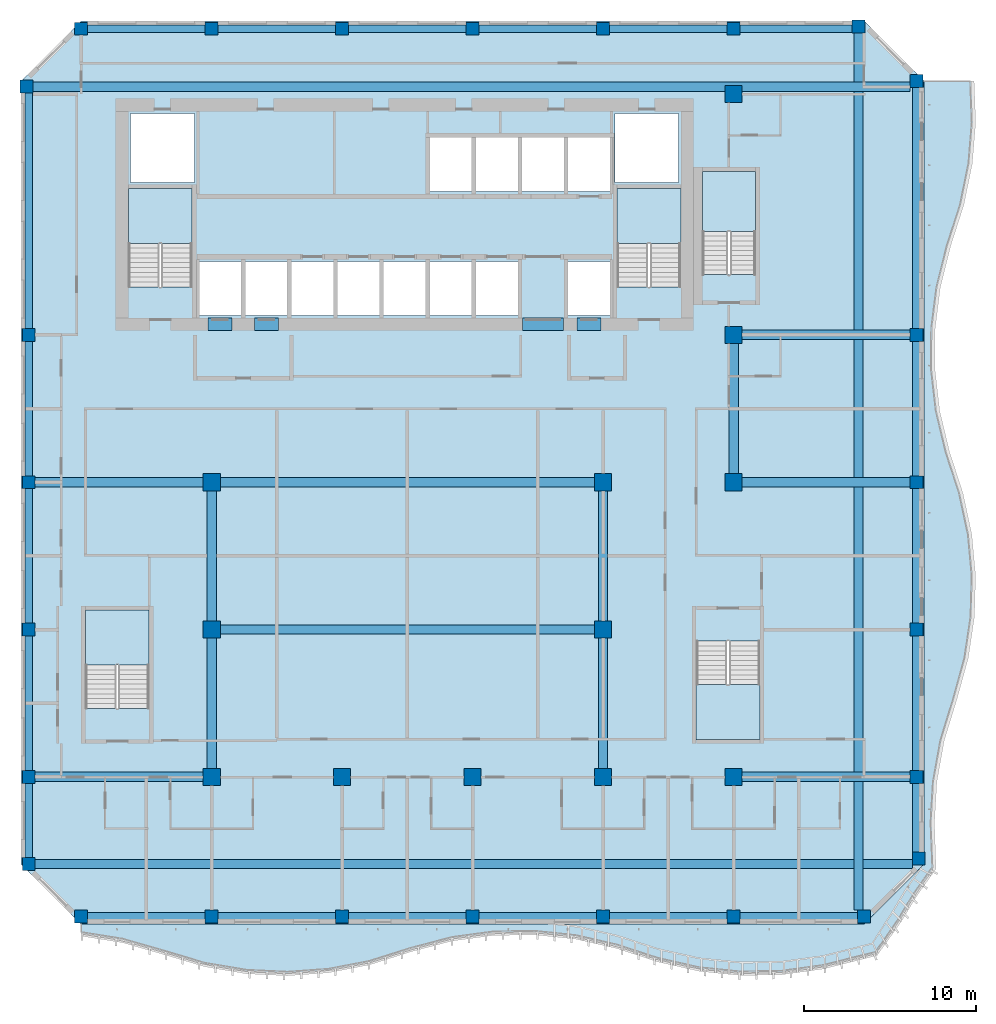
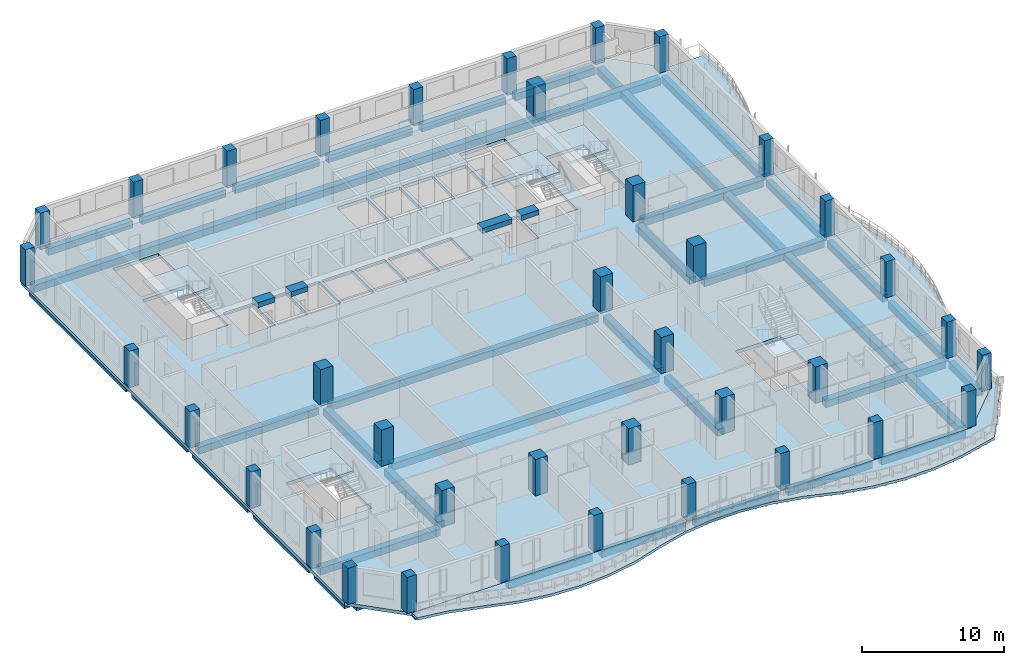
# One storey, part 1 of 21: 41 beams, 38 columns, 7 slabs, 5 elements without a shape of their own.
"""IFC4 building model written with IfcOpenShell, lengths in metres."""

import ifcopenshell
import ifcopenshell.guid

model = None  # the IFC model being written
_history = None  # IfcOwnerHistory: only IFC2X3 demands one
_inside = {}  # id of a spatial element -> (the spatial element, [elements in it])
_under = {}  # id of a project, library or spatial element -> (it, [spatial elements below it])
_declared = {}  # id of a project -> (the project, [libraries it declares])
_typed = {}  # id of a type object -> (the type object, [elements of that type])
_made_of = {}  # id of a material, layer set ... -> (it, [elements and type objects made of it])


def new_model(schema):
    """Start an empty IFC model of exactly this schema.

    Asked for "IFC4X3", IfcOpenShell would pick the latest addendum, in which some entities
    have other attributes; the version numbers below select the first issue.
    IFC2X3 requires an IfcOwnerHistory on every rooted entity: one is made here for all.
    """
    global model, _history
    if schema == "IFC4X3":
        model = ifcopenshell.file(schema_version=(4, 3, 0, 0))
    else:
        model = ifcopenshell.file(schema=schema)
    _inside.clear()
    _under.clear()
    _declared.clear()
    _typed.clear()
    _made_of.clear()
    _history = None
    if model.schema == "IFC2X3":
        org = make("IfcOrganization", Name="unknown")
        user = make(
            "IfcPersonAndOrganization",
            ThePerson=make("IfcPerson", FamilyName="unknown"),
            TheOrganization=org,
        )
        app = make(
            "IfcApplication",
            ApplicationDeveloper=org,
            Version="unknown",
            ApplicationFullName="unknown",
            ApplicationIdentifier="unknown",
        )
        _history = make(
            "IfcOwnerHistory",
            OwningUser=user,
            OwningApplication=app,
            ChangeAction="ADDED",
            CreationDate=0,
        )
    return model


def make(cls, **values):
    """One entity of the class cls with the attributes given. An attribute that is None is left unset."""
    return model.create_entity(
        cls, **{name: value for name, value in values.items() if value is not None}
    )


def rooted(cls, **values):
    """An entity with a GlobalId (a new one), such as an element, a storey or a relation."""
    return make(cls, GlobalId=ifcopenshell.guid.new(), OwnerHistory=_history, **values)


def si_unit(unit_type, name, prefix=None):
    """IfcSIUnit, for example si_unit("LENGTHUNIT", "METRE", prefix="MILLI")."""
    return make("IfcSIUnit", UnitType=unit_type, Prefix=prefix, Name=name)


def assignment(units):
    """IfcUnitAssignment: the units of a project."""
    return None if units is None else make("IfcUnitAssignment", Units=units)


def point(xyz):
    """IfcCartesianPoint."""
    return None if xyz is None else make("IfcCartesianPoint", Coordinates=xyz)


def direction(xyz):
    """IfcDirection."""
    return None if xyz is None else make("IfcDirection", DirectionRatios=xyz)


def frame(location, z_axis=None, x_axis=None):
    """IfcAxis2Placement3D, a coordinate frame: its origin and axes. An axis left out is left unset."""
    return make(
        "IfcAxis2Placement3D",
        Location=point(location),
        Axis=direction(z_axis),
        RefDirection=direction(x_axis),
    )


def frame_2d(location, x_axis=None):
    """IfcAxis2Placement2D, a coordinate frame in the plane: its origin and x axis."""
    return make(
        "IfcAxis2Placement2D", Location=point(location), RefDirection=direction(x_axis)
    )


def origin():
    """The frame at (0, 0, 0) with its axes left unset."""
    return frame((0.0, 0.0, 0.0))


def origin_2d():
    """The frame at (0, 0) in the plane with its x axis left unset."""
    return frame_2d((0.0, 0.0))


def place(relative_to, where):
    """IfcLocalPlacement: puts the frame where relative to a parent placement (None: the world)."""
    return make(
        "IfcLocalPlacement", PlacementRelTo=relative_to, RelativePlacement=where
    )


def context(
    kind, dimensions, precision=None, world=None, true_north=None, identifier=None
):
    """IfcGeometricRepresentationContext, for example the 3D "Model" context."""
    return make(
        "IfcGeometricRepresentationContext",
        ContextIdentifier=identifier,
        ContextType=kind,
        CoordinateSpaceDimension=dimensions,
        Precision=precision,
        WorldCoordinateSystem=world,
        TrueNorth=true_north,
    )


def subcontext(parent, identifier, kind, view, scale=None):
    """IfcGeometricRepresentationSubContext, for example "Body" below "Model"."""
    return make(
        "IfcGeometricRepresentationSubContext",
        ContextIdentifier=identifier,
        ContextType=kind,
        ParentContext=parent,
        TargetScale=scale,
        TargetView=view,
    )


def project(units=None, contexts=None):
    """IfcProject with its units and contexts."""
    return rooted(
        "IfcProject",
        Name="project",
        RepresentationContexts=contexts,
        UnitsInContext=assignment(units),
    )


def spatial(cls, under=None, at=None, **own):
    """A site, building, storey or space (cls), placed at a placement, below another one or the project."""
    s = rooted(cls, ObjectPlacement=at, **own)
    if under is not None:
        _under.setdefault(under.id(), (under, []))[1].append(s)
    return s


def polyline(points):
    """IfcPolyline through the points."""
    return make("IfcPolyline", Points=[point(p) for p in points])


def profile(cls, at=None, kind="AREA", **sizes):
    """A parametric profile (cls). Its sizes go by their IFC names, for example OverallWidth=200.0."""
    return make(cls, ProfileType=kind, Position=at, **sizes)


def rectangle(**sizes):
    """IfcRectangleProfileDef."""
    return profile("IfcRectangleProfileDef", **sizes)


def outline(outer, holes=None, kind="AREA"):
    """IfcArbitraryClosedProfileDef: a profile drawn as a closed curve; with holes, ...WithVoids."""
    if holes is None:
        return make("IfcArbitraryClosedProfileDef", ProfileType=kind, OuterCurve=outer)
    return make(
        "IfcArbitraryProfileDefWithVoids",
        ProfileType=kind,
        OuterCurve=outer,
        InnerCurves=holes,
    )


def extrude(swept, where, along, depth):
    """IfcExtrudedAreaSolid: the profile swept, set in the frame where, extruded along a direction by depth."""
    return make(
        "IfcExtrudedAreaSolid",
        SweptArea=swept,
        Position=where,
        ExtrudedDirection=direction(along),
        Depth=depth,
    )


def shape(context_of_items, identifier, shape_type, items):
    """IfcShapeRepresentation: the items that make up one representation, for example the "Body"."""
    return make(
        "IfcShapeRepresentation",
        ContextOfItems=context_of_items,
        RepresentationIdentifier=identifier,
        RepresentationType=shape_type,
        Items=items,
    )


def source(mapping_origin, context_of_items, identifier, shape_type, items):
    """IfcRepresentationMap: a shape defined once, which mapped items show again and again."""
    return make(
        "IfcRepresentationMap",
        MappingOrigin=mapping_origin,
        MappedRepresentation=shape(context_of_items, identifier, shape_type, items),
    )


def transform(
    local_origin,
    x_axis=None,
    y_axis=None,
    z_axis=None,
    scale=None,
    scale2=None,
    scale3=None,
    uniform=True,
):
    """IfcCartesianTransformationOperator3D, or its non-uniform kind. x_axis, y_axis, z_axis: its Axis1, 2, 3."""
    if uniform:
        return make(
            "IfcCartesianTransformationOperator3D",
            Axis1=direction(x_axis),
            Axis2=direction(y_axis),
            LocalOrigin=point(local_origin),
            Scale=scale,
            Axis3=direction(z_axis),
        )
    return make(
        "IfcCartesianTransformationOperator3DnonUniform",
        Axis1=direction(x_axis),
        Axis2=direction(y_axis),
        LocalOrigin=point(local_origin),
        Scale=scale,
        Axis3=direction(z_axis),
        Scale2=scale2,
        Scale3=scale3,
    )


def mapped(mapping_source, mapping_target):
    """IfcMappedItem: shows the shape of a source again, moved by a transform."""
    return make(
        "IfcMappedItem", MappingSource=mapping_source, MappingTarget=mapping_target
    )


def material(Name=None, Category=None):
    """IfcMaterial."""
    return make("IfcMaterial", Name=Name, Category=Category)


def layer(
    of_material, thickness, ventilated=None, Name=None, Category=None, Priority=None
):
    """IfcMaterialLayer: one layer of a wall or slab, of a material (None: an air gap)."""
    return make(
        "IfcMaterialLayer",
        Material=of_material,
        LayerThickness=thickness,
        IsVentilated=ventilated,
        Name=Name,
        Category=Category,
        Priority=Priority,
    )


def layer_set(layers, Name=None):
    """IfcMaterialLayerSet."""
    return make("IfcMaterialLayerSet", MaterialLayers=layers, LayerSetName=Name)


def material_profile(
    of_material, cross_section, Name=None, Category=None, Priority=None
):
    """IfcMaterialProfile: a cross section and its material."""
    return make(
        "IfcMaterialProfile",
        Name=Name,
        Material=of_material,
        Profile=cross_section,
        Priority=Priority,
        Category=Category,
    )


def profile_set(profiles, Name=None, composite=None):
    """IfcMaterialProfileSet."""
    return make(
        "IfcMaterialProfileSet",
        Name=Name,
        MaterialProfiles=profiles,
        CompositeProfile=composite,
    )


def made_of(thing, what):
    """Note that an element or type object is made of a material, layer set ...; save() writes the relation."""
    if what is not None:
        _made_of.setdefault(what.id(), (what, []))[1].append(thing)
    return thing


def type_object(cls, material=None, **own):
    """A type object (cls), such as IfcWallType, which elements share."""
    return made_of(rooted(cls, **own), material)


def element(
    cls,
    number,
    at=None,
    inside=None,
    cuts=None,
    type_object=None,
    material=None,
    context=None,
    identifier="Body",
    shape_type=None,
    held_by="IfcProductDefinitionShape",
    body=None,
    shapes=None,
    **own,
):
    """One element of the class cls, such as IfcWall. Its Tag is "e" and its number.

    at: its placement. inside: the storey or other place that contains it. cuts: it is an
    opening in that element (IfcRelVoidsElement). A single representation is given by context,
    identifier, shape_type and body (its items); several are given by shapes. held_by: the class
    of the entity that holds the representations. save() writes the other relations.
    """
    e = rooted(cls, Tag="e%d" % number, ObjectPlacement=at, **own)
    if body is not None:
        shapes = [shape(context, identifier, shape_type, body)]
    if shapes is not None:
        e.Representation = make(held_by, Representations=shapes)
    if inside is not None:
        _inside.setdefault(inside.id(), (inside, []))[1].append(e)
    if cuts is not None:
        rooted(
            "IfcRelVoidsElement", RelatingBuildingElement=cuts, RelatedOpeningElement=e
        )
    if type_object is not None:
        _typed.setdefault(type_object.id(), (type_object, []))[1].append(e)
    return made_of(e, material)


def aggregate(whole, parts):
    """IfcRelAggregates: a whole, such as a stair, and the parts it consists of."""
    return rooted("IfcRelAggregates", RelatingObject=whole, RelatedObjects=parts)


def save(model, path):
    """Write the relations noted so far, then the file.

    IfcRelAggregates (storeys below a building ...), IfcRelContainedInSpatialStructure (elements
    in a storey), IfcRelDefinesByType, IfcRelAssociatesMaterial and IfcRelDeclares: one each for
    every whole, place, type object, material and project.
    """
    for whole, parts in _under.values():
        aggregate(whole, parts)
    for where, things in _inside.values():
        rooted(
            "IfcRelContainedInSpatialStructure",
            RelatedElements=things,
            RelatingStructure=where,
        )
    for kind, things in _typed.values():
        rooted("IfcRelDefinesByType", RelatedObjects=things, RelatingType=kind)
    for what, things in _made_of.values():
        rooted("IfcRelAssociatesMaterial", RelatedObjects=things, RelatingMaterial=what)
    for by, libraries in _declared.values():
        rooted("IfcRelDeclares", RelatingContext=by, RelatedDefinitions=libraries)
    model.write(path)


model = new_model("IFC4")

# Units and contexts
model_context = context("Model", 3, precision=1e-05, world=origin(), true_north=direction((0.0, 1.0)))
body_context = subcontext(model_context, "Body", "Model", "MODEL_VIEW")
ifc_project = project(units=[si_unit("LENGTHUNIT", "METRE"), si_unit("AREAUNIT", "SQUARE_METRE"), si_unit("VOLUMEUNIT", "CUBIC_METRE"), si_unit("PLANEANGLEUNIT", "RADIAN"), si_unit("MASSUNIT", "GRAM", prefix="KILO")], contexts=[model_context])

# Site, building, storey
site_placement = place(None, origin())
site = spatial("IfcSite", under=ifc_project, at=site_placement, CompositionType="ELEMENT")
building_placement = place(site_placement, origin())
building = spatial("IfcBuilding", under=site, at=building_placement, Name="Kilnfold Tower and Market Hall", CompositionType="ELEMENT")
storey_placement = place(building_placement, frame((0.0, 0.0, 210.10009765625)))
storey = spatial("IfcBuildingStorey", under=building, at=storey_placement, Name="L51", CompositionType="ELEMENT", Elevation=210.10009765625)

# Columns
ifc_material_1 = material(Name="Concrete C70", Category="concrete")
ifc_material_profile_1 = material_profile(ifc_material_1, rectangle(XDim=0.75, YDim=0.75, at=origin_2d()), Name="RC 750x750")
ifc_profile_set_1 = profile_set([ifc_material_profile_1], Name="Concrete C70")
column_type_1 = type_object("IfcColumnType", Name="COLUMN 750X750 C70", PredefinedType="COLUMN", material=ifc_profile_set_1)
shared_shape_1 = source(origin(), body_context, "Body", "SweptSolid", [
    extrude(rectangle(XDim=0.75, YDim=0.75, at=origin_2d()), origin(), (0.0, 0.0, 1.0), 3.119873046875),
])
for number, where, z_axis, x_axis, name in (
    (1, (-20.931884765625, 22.431884765625, 0.0), (0.0, 0.0, 1.0), (1.0, 0.0, 0.0), "Column C-B6-1H"),
    (2, (-20.800048828125, -22.75, 0.0), (0.0, 0.0, 1.0), (1.0, 0.0, 0.0), "Column C-B6-1B"),
    (3, (-20.800048828125, -17.6875, 0.0), (0.0, 0.0, 1.0), (1.0, 0.0, 0.0), "Column C-B6-1C"),
    (4, (-20.800048828125, -9.125, 0.0), (0.0, 0.0, 1.0), (1.0, 0.0, 0.0), "Column C-B6-1D"),
    (5, (-20.800048828125, -0.5625, 0.0), (0.0, 0.0, 1.0), (1.0, 0.0, 0.0), "Column C-B6-1E"),
    (6, (-20.800048828125, 8.0, 0.0), (0.0, 0.0, 1.0), (1.0, 0.0, 0.0), "Column C-B6-1F"),
    (7, (-17.75, -25.800048828125, 0.0), (0.0, 0.0, 1.0), (1.0, 0.0, 0.0), "Column C-B6-2A"),
    (8, (-17.75, 25.800048828125, 0.0), (0.0, 0.0, 1.0), (1.0, 0.0, 0.0), "Column C-B6-2I"),
    (9, (-10.166748046875, -25.800048828125, 0.0), (0.0, 0.0, 1.0), (1.0, 0.0, 0.0), "Column C-B6-3A"),
    (10, (-10.166748046875, 25.800048828125, 0.0), (0.0, 0.0, 1.0), (1.0, 0.0, 0.0), "Column C-B6-3I"),
    (11, (-2.583251953125, -25.800048828125, 0.0), (0.0, 0.0, 1.0), (1.0, 0.0, 0.0), "Column C-B6-4A"),
    (12, (-2.583251953125, 25.800048828125, 0.0), (0.0, 0.0, 1.0), (1.0, 0.0, 0.0), "Column C-B6-4I"),
    (13, (5.0, -25.800048828125, 0.0), (0.0, 0.0, 1.0), (1.0, 0.0, 0.0), "Column C-B6-5A"),
    (14, (5.0, 25.800048828125, 0.0), (0.0, 0.0, 1.0), (1.0, 0.0, 0.0), "Column C-B6-5I"),
    (15, (12.583251953125, -25.800048828125, 0.0), (0.0, 0.0, 1.0), (1.0, 0.0, 0.0), "Column C-B6-6A"),
    (16, (12.583251953125, 25.800048828125, 0.0), (0.0, 0.0, 1.0), (1.0, 0.0, 0.0), "Column C-B6-6I"),
    (17, (20.166748046875, -25.800048828125, 0.0), (0.0, 0.0, 1.0), (1.0, 0.0, 0.0), "Column C-B6-7A"),
    (18, (20.166748046875, 25.800048828125, 0.0), (0.0, 0.0, 1.0), (1.0, 0.0, 0.0), "Column C-B6-7I"),
    (19, (27.431884765625, 25.931884765625, 0.0), (0.0, 0.0, 1.0), (1.0, 0.0, 0.0), "Column C-B6-8I"),
    (20, (27.75, -25.800048828125, 0.0), (0.0, 0.0, 1.0), (1.0, 0.0, 0.0), "Column C-B6-8A"),
    (21, (30.800048828125, -17.6875, 0.0), (0.0, 0.0, 1.0), (1.0, 0.0, 0.0), "Column C-B6-9C"),
    (22, (30.800048828125, -9.125, 0.0), (0.0, 0.0, 1.0), (1.0, 0.0, 0.0), "Column C-B6-9D"),
    (23, (30.800048828125, -0.5625, 0.0), (0.0, 0.0, 1.0), (1.0, 0.0, 0.0), "Column C-B6-9E"),
    (24, (30.800048828125, 8.0, 0.0), (0.0, 0.0, 1.0), (1.0, 0.0, 0.0), "Column C-B6-9F"),
    (25, (30.800048828125, 22.75, 0.0), (0.0, 0.0, 1.0), (1.0, 0.0, 0.0), "Column C-B6-9H"),
    (26, (30.931884765625, -22.431884765625, 0.0), (0.0, 0.0, 1.0), (1.0, 0.0, 0.0), "Column C-B6-9B"),
):
    element("IfcColumn", number, at=place(storey_placement, frame(where, z_axis=z_axis, x_axis=x_axis)), inside=storey, type_object=column_type_1, Name=name, PredefinedType="COLUMN", context=body_context, shape_type="MappedRepresentation", body=[
        mapped(shared_shape_1, transform((0.0, 0.0, 0.0))),
    ])
ifc_material_2 = material(Name="Concrete C70", Category="concrete")
ifc_material_profile_2 = material_profile(ifc_material_2, rectangle(XDim=1.0, YDim=1.0, at=origin_2d()), Name="RC 1000x1000")
ifc_profile_set_2 = profile_set([ifc_material_profile_2], Name="Concrete C70")
column_type_2 = type_object("IfcColumnType", Name="COLUMN 1000X1000 C70", PredefinedType="COLUMN", material=ifc_profile_set_2)
shared_shape_2 = source(origin(), body_context, "Body", "SweptSolid", [
    extrude(rectangle(XDim=1.0, YDim=1.0, at=origin_2d()), origin(), (0.0, 0.0, 1.0), 3.119873046875),
])
for number, where, z_axis, x_axis, name in (
    (27, (-10.166748046875, -17.6875, 0.0), (0.0, 0.0, 1.0), (1.0, 0.0, 0.0), "Column C-B6-3C"),
    (28, (-10.166748046875, -9.125, 0.0), (0.0, 0.0, 1.0), (1.0, 0.0, 0.0), "Column C-B6-3D"),
    (29, (-10.166748046875, -0.5625, 0.0), (0.0, 0.0, 1.0), (1.0, 0.0, 0.0), "Column C-B6-3E"),
    (30, (-2.583251953125, -17.6875, 0.0), (0.0, 0.0, 1.0), (1.0, 0.0, 0.0), "Column C-B6-4C"),
    (31, (5.0, -17.6875, 0.0), (0.0, 0.0, 1.0), (1.0, 0.0, 0.0), "Column C-B6-5C"),
    (32, (12.583251953125, -17.6875, 0.0), (0.0, 0.0, 1.0), (1.0, 0.0, 0.0), "Column C-B6-6C"),
    (33, (12.583251953125, -9.125, 0.0), (0.0, 0.0, 1.0), (1.0, 0.0, 0.0), "Column C-B6-6D"),
    (34, (12.583251953125, -0.5625, 0.0), (0.0, 0.0, 1.0), (1.0, 0.0, 0.0), "Column C-B6-6E"),
    (35, (20.166748046875, -17.6875, 0.0), (0.0, 0.0, 1.0), (1.0, 0.0, 0.0), "Column C-B6-7C"),
    (36, (20.166748046875, -0.5625, 0.0), (0.0, 0.0, 1.0), (1.0, 0.0, 0.0), "Column C-B6-7E"),
    (37, (20.166748046875, 8.0, 0.0), (0.0, 0.0, 1.0), (1.0, 0.0, 0.0), "Column C-B6-7F"),
    (38, (20.166748046875, 22.0, 0.0), (0.0, 0.0, 1.0), (1.0, 0.0, 0.0), "Column C-B6-7G"),
):
    element("IfcColumn", number, at=place(storey_placement, frame(where, z_axis=z_axis, x_axis=x_axis)), inside=storey, type_object=column_type_2, Name=name, PredefinedType="COLUMN", context=body_context, shape_type="MappedRepresentation", body=[
        mapped(shared_shape_2, transform((0.0, 0.0, 0.0))),
    ])

# Beams
ifc_material_3 = material(Name="Concrete C45", Category="concrete")
ifc_material_profile_3 = material_profile(ifc_material_3, rectangle(XDim=0.550048828125, YDim=0.60009765625, at=origin_2d()), Name="RC 550x600")
ifc_profile_set_3 = profile_set([ifc_material_profile_3], Name="Concrete C45")
beam_type_1 = type_object("IfcBeamType", Name="BEAM 550X600 C45", PredefinedType="BEAM", material=ifc_profile_set_3)
shared_shape_3 = source(origin(), body_context, "Body", "SweptSolid", [
    extrude(rectangle(XDim=0.550048828125, YDim=0.60009765625, at=origin_2d()), origin(), (0.0, 0.0, 1.0), 21.75),
])
for number, where, z_axis, x_axis, name in (
    (39, (-9.666748046875, -9.1201171875, -0.580078125), (1.0, 0.0, 0.0), (0.0, 1.0, 0.0), "Beam BB600-B6.48"),
    (40, (-9.666748046875, -0.56005859375, -0.580078125), (1.0, 0.0, 0.0), (0.0, 1.0, 0.0), "Beam BB600-B6.50"),
):
    element("IfcBeam", number, at=place(storey_placement, frame(where, z_axis=z_axis, x_axis=x_axis)), inside=storey, type_object=beam_type_1, Name=name, PredefinedType="BEAM", context=body_context, shape_type="MappedRepresentation", body=[
        mapped(shared_shape_3, transform((0.0, 0.0, 0.0))),
    ])
ifc_material_4 = material(Name="Concrete C60", Category="concrete")
ifc_material_profile_4 = material_profile(ifc_material_4, rectangle(XDim=0.75, YDim=0.419921875, at=origin_2d()), Name="RC 750x420")
ifc_profile_set_4 = profile_set([ifc_material_profile_4], Name="Concrete C60")
beam_type_2 = type_object("IfcBeamType", Name="COUPLING BEAM 750X420 C60", PredefinedType="BEAM", material=ifc_profile_set_4)
shared_shape_4 = source(origin(), body_context, "Body", "SweptSolid", [
    extrude(rectangle(XDim=0.75, YDim=0.419921875, at=origin_2d()), origin(), (0.0, 0.0, 1.0), 1.400146484375),
])
beam_1_placement = place(storey_placement, frame((-10.3701171875, 8.625, 2.909912109375), z_axis=(1.0, 0.0, 0.0), x_axis=(0.0, 1.0, 0.0)))
element("IfcBeam", 41, at=beam_1_placement, inside=storey, type_object=beam_type_2, Name="Coupling beam CB420-60-CORE.37", PredefinedType="BEAM", context=body_context, shape_type="MappedRepresentation", body=[
    mapped(shared_shape_4, transform((0.0, 0.0, 0.0))),
])
shared_shape_5 = source(origin(), body_context, "Body", "SweptSolid", [
    extrude(rectangle(XDim=0.75, YDim=0.419921875, at=origin_2d()), origin(), (0.0, 0.0, 1.0), 1.39990234375),
])
for number, where, z_axis, x_axis, name in (
    (42, (-7.68994140625, 8.625, 2.909912109375), (1.0, 0.0, 0.0), (0.0, 1.0, 0.0), "Coupling beam CB420-60-CORE.38"),
    (43, (11.070068359375, 8.625, 2.909912109375), (1.0, 0.0, 0.0), (0.0, 1.0, 0.0), "Coupling beam CB420-60-CORE.40"),
):
    element("IfcBeam", number, at=place(storey_placement, frame(where, z_axis=z_axis, x_axis=x_axis)), inside=storey, type_object=beam_type_2, Name=name, PredefinedType="BEAM", context=body_context, shape_type="MappedRepresentation", body=[
        mapped(shared_shape_5, transform((0.0, 0.0, 0.0))),
    ])
shared_shape_6 = source(origin(), body_context, "Body", "SweptSolid", [
    extrude(rectangle(XDim=0.75, YDim=0.419921875, at=origin_2d()), origin(), (0.0, 0.0, 1.0), 2.400146484375),
])
beam_2_placement = place(storey_placement, frame((7.889892578125, 8.625, 2.909912109375), z_axis=(1.0, 0.0, 0.0), x_axis=(0.0, 1.0, 0.0)))
element("IfcBeam", 44, at=beam_2_placement, inside=storey, type_object=beam_type_2, Name="Coupling beam CB420-60-CORE.39", PredefinedType="BEAM", context=body_context, shape_type="MappedRepresentation", body=[
    mapped(shared_shape_6, transform((0.0, 0.0, 0.0))),
])
ifc_material_5 = material(Name="Concrete C45", Category="concrete")
ifc_material_profile_5 = material_profile(ifc_material_5, rectangle(XDim=0.449951171875, YDim=0.60009765625, at=origin_2d()), Name="RC 450x600")
ifc_profile_set_5 = profile_set([ifc_material_profile_5], Name="Concrete C45")
beam_type_3 = type_object("IfcBeamType", Name="EDGE BEAM 450X600 C45", PredefinedType="BEAM", material=ifc_profile_set_5)
shared_shape_7 = source(origin(), body_context, "Body", "SweptSolid", [
    extrude(rectangle(XDim=0.449951171875, YDim=0.60009765625, at=origin_2d()), origin(), (0.0, 0.0, 1.0), 13.681884765625),
])
beam_3_placement = place(storey_placement, frame((-20.800048828125, 8.375, -0.580078125), z_axis=(0.0, 1.0, 0.0), x_axis=(-1.0, 0.0, 0.0)))
element("IfcBeam", 45, at=beam_3_placement, inside=storey, type_object=beam_type_3, Name="Beam EB600-B6.33", PredefinedType="BEAM", context=body_context, shape_type="MappedRepresentation", body=[
    mapped(shared_shape_7, transform((0.0, 0.0, 0.0))),
])
shared_shape_8 = source(origin(), body_context, "Body", "SweptSolid", [
    extrude(rectangle(XDim=0.449951171875, YDim=0.60009765625, at=origin_2d()), origin(), (0.0, 0.0, 1.0), 6.833251953125),
])
for number, where, z_axis, x_axis, name in (
    (46, (-17.375, -25.800048828125, -0.580078125), (1.0, 0.0, 0.0), (0.0, 1.0, 0.0), "Beam EB600-B6.39"),
    (47, (-2.208251953125, -25.800048828125, -0.580078125), (1.0, 0.0, 0.0), (0.0, 1.0, 0.0), "Beam EB600-B6.41"),
    (48, (5.375, -25.800048828125, -0.580078125), (1.0, 0.0, 0.0), (0.0, 1.0, 0.0), "Beam EB600-B6.42"),
    (49, (20.541748046875, -25.800048828125, -0.580078125), (1.0, 0.0, 0.0), (0.0, 1.0, 0.0), "Beam EB600-B6.44"),
    (50, (-17.375, 25.800048828125, -0.580078125), (1.0, 0.0, 0.0), (0.0, 1.0, 0.0), "Beam EB600-B6.54"),
    (51, (-2.208251953125, 25.800048828125, -0.580078125), (1.0, 0.0, 0.0), (0.0, 1.0, 0.0), "Beam EB600-B6.56"),
    (52, (5.375, 25.800048828125, -0.580078125), (1.0, 0.0, 0.0), (0.0, 1.0, 0.0), "Beam EB600-B6.57"),
):
    element("IfcBeam", number, at=place(storey_placement, frame(where, z_axis=z_axis, x_axis=x_axis)), inside=storey, type_object=beam_type_3, Name=name, PredefinedType="BEAM", context=body_context, shape_type="MappedRepresentation", body=[
        mapped(shared_shape_8, transform((0.0, 0.0, 0.0))),
    ])
shared_shape_9 = source(origin(), body_context, "Body", "SweptSolid", [
    extrude(rectangle(XDim=0.449951171875, YDim=0.60009765625, at=origin_2d()), origin(), (0.0, 0.0, 1.0), 6.83349609375),
])
for number, where, z_axis, x_axis, name in (
    (53, (-9.791748046875, -25.800048828125, -0.580078125), (1.0, 0.0, 0.0), (0.0, 1.0, 0.0), "Beam EB600-B6.40"),
    (54, (12.958251953125, -25.800048828125, -0.580078125), (1.0, 0.0, 0.0), (0.0, 1.0, 0.0), "Beam EB600-B6.43"),
    (55, (-9.791748046875, 25.800048828125, -0.580078125), (1.0, 0.0, 0.0), (0.0, 1.0, 0.0), "Beam EB600-B6.55"),
    (56, (12.958251953125, 25.800048828125, -0.580078125), (1.0, 0.0, 0.0), (0.0, 1.0, 0.0), "Beam EB600-B6.58"),
):
    element("IfcBeam", number, at=place(storey_placement, frame(where, z_axis=z_axis, x_axis=x_axis)), inside=storey, type_object=beam_type_3, Name=name, PredefinedType="BEAM", context=body_context, shape_type="MappedRepresentation", body=[
        mapped(shared_shape_9, transform((0.0, 0.0, 0.0))),
    ])
shared_shape_10 = source(origin(), body_context, "Body", "SweptSolid", [
    extrude(rectangle(XDim=0.550048828125, YDim=0.60009765625, at=origin_2d()), origin(), (0.0, 0.0, 1.0), 50.98193359375),
])
for number, where, z_axis, x_axis, name in (
    (57, (-20.425048828125, -22.75, -0.580078125), (1.0, 0.0, 0.0), (0.0, 1.0, 0.0), "Beam BB600-B6.45"),
    (58, (-20.556884765625, 22.429931640625, -0.580078125), (1.0, 0.0, 0.0), (0.0, 1.0, 0.0), "Beam BB600-B6.53"),
    (59, (27.429931640625, -25.425048828125, -0.580078125), (0.0, 1.0, 0.0), (-1.0, 0.0, 0.0), "Beam BB600-B6.69"),
):
    element("IfcBeam", number, at=place(storey_placement, frame(where, z_axis=z_axis, x_axis=x_axis)), inside=storey, type_object=beam_type_1, Name=name, PredefinedType="BEAM", context=body_context, shape_type="MappedRepresentation", body=[
        mapped(shared_shape_10, transform((0.0, 0.0, 0.0))),
    ])
shared_shape_11 = source(origin(), body_context, "Body", "SweptSolid", [
    extrude(rectangle(XDim=0.550048828125, YDim=0.60009765625, at=origin_2d()), origin(), (0.0, 0.0, 1.0), 9.75830078125),
])
for number, where, z_axis, x_axis, name in (
    (60, (-20.425048828125, -17.68994140625, -0.580078125), (1.0, 0.0, 0.0), (0.0, 1.0, 0.0), "Beam BB600-B6.46"),
    (61, (20.666748046875, -17.68994140625, -0.580078125), (1.0, 0.0, 0.0), (0.0, 1.0, 0.0), "Beam BB600-B6.47"),
    (62, (-20.425048828125, -0.56005859375, -0.580078125), (1.0, 0.0, 0.0), (0.0, 1.0, 0.0), "Beam BB600-B6.49"),
    (63, (20.666748046875, -0.56005859375, -0.580078125), (1.0, 0.0, 0.0), (0.0, 1.0, 0.0), "Beam BB600-B6.51"),
    (64, (20.666748046875, 8.0, -0.580078125), (1.0, 0.0, 0.0), (0.0, 1.0, 0.0), "Beam BB600-B6.52"),
):
    element("IfcBeam", number, at=place(storey_placement, frame(where, z_axis=z_axis, x_axis=x_axis)), inside=storey, type_object=beam_type_1, Name=name, PredefinedType="BEAM", context=body_context, shape_type="MappedRepresentation", body=[
        mapped(shared_shape_11, transform((0.0, 0.0, 0.0))),
    ])
shared_shape_12 = source(origin(), body_context, "Body", "SweptSolid", [
    extrude(rectangle(XDim=0.449951171875, YDim=0.60009765625, at=origin_2d()), origin(), (0.0, 0.0, 1.0), 6.51513671875),
])
beam_4_placement = place(storey_placement, frame((20.541748046875, 25.800048828125, -0.580078125), z_axis=(1.0, 0.0, 0.0), x_axis=(0.0, 1.0, 0.0)))
element("IfcBeam", 65, at=beam_4_placement, inside=storey, type_object=beam_type_3, Name="Beam EB600-B6.59", PredefinedType="BEAM", context=body_context, shape_type="MappedRepresentation", body=[
    mapped(shared_shape_12, transform((0.0, 0.0, 0.0))),
])
shared_shape_13 = source(origin(), body_context, "Body", "SweptSolid", [
    extrude(rectangle(XDim=0.449951171875, YDim=0.60009765625, at=origin_2d()), origin(), (0.0, 0.0, 1.0), 4.3125),
])
beam_5_placement = place(storey_placement, frame((-20.800048828125, -22.375, -0.580078125), z_axis=(0.0, 1.0, 0.0), x_axis=(-1.0, 0.0, 0.0)))
element("IfcBeam", 66, at=beam_5_placement, inside=storey, type_object=beam_type_3, Name="Beam EB600-B6.60", PredefinedType="BEAM", context=body_context, shape_type="MappedRepresentation", body=[
    mapped(shared_shape_13, transform((0.0, 0.0, 0.0))),
])
shared_shape_14 = source(origin(), body_context, "Body", "SweptSolid", [
    extrude(rectangle(XDim=0.449951171875, YDim=0.60009765625, at=origin_2d()), origin(), (0.0, 0.0, 1.0), 7.8125),
])
for number, where, z_axis, x_axis, name in (
    (67, (-20.800048828125, -17.3125, -0.580078125), (0.0, 1.0, 0.0), (-1.0, 0.0, 0.0), "Beam EB600-B6.61"),
    (68, (-20.800048828125, -8.75, -0.580078125), (0.0, 1.0, 0.0), (-1.0, 0.0, 0.0), "Beam EB600-B6.62"),
    (69, (-20.800048828125, -0.1875, -0.580078125), (0.0, 1.0, 0.0), (-1.0, 0.0, 0.0), "Beam EB600-B6.63"),
    (70, (30.800048828125, -17.3125, -0.580078125), (0.0, 1.0, 0.0), (-1.0, 0.0, 0.0), "Beam EB600-B6.71"),
    (71, (30.800048828125, -8.75, -0.580078125), (0.0, 1.0, 0.0), (-1.0, 0.0, 0.0), "Beam EB600-B6.72"),
    (72, (30.800048828125, -0.1875, -0.580078125), (0.0, 1.0, 0.0), (-1.0, 0.0, 0.0), "Beam EB600-B6.73"),
):
    element("IfcBeam", number, at=place(storey_placement, frame(where, z_axis=z_axis, x_axis=x_axis)), inside=storey, type_object=beam_type_3, Name=name, PredefinedType="BEAM", context=body_context, shape_type="MappedRepresentation", body=[
        mapped(shared_shape_14, transform((0.0, 0.0, 0.0))),
    ])
shared_shape_15 = source(origin(), body_context, "Body", "SweptSolid", [
    extrude(rectangle(XDim=0.550048828125, YDim=0.60009765625, at=origin_2d()), origin(), (0.0, 0.0, 1.0), 7.5625),
])
for number, where, z_axis, x_axis, name in (
    (73, (-10.169921875, -17.1875, -0.580078125), (0.0, 1.0, 0.0), (-1.0, 0.0, 0.0), "Beam BB600-B6.64"),
    (74, (-10.169921875, -8.625, -0.580078125), (0.0, 1.0, 0.0), (-1.0, 0.0, 0.0), "Beam BB600-B6.65"),
    (75, (12.580078125, -17.1875, -0.580078125), (0.0, 1.0, 0.0), (-1.0, 0.0, 0.0), "Beam BB600-B6.66"),
    (76, (12.580078125, -8.625, -0.580078125), (0.0, 1.0, 0.0), (-1.0, 0.0, 0.0), "Beam BB600-B6.67"),
    (77, (20.169921875, -0.0625, -0.580078125), (0.0, 1.0, 0.0), (-1.0, 0.0, 0.0), "Beam BB600-B6.68"),
):
    element("IfcBeam", number, at=place(storey_placement, frame(where, z_axis=z_axis, x_axis=x_axis)), inside=storey, type_object=beam_type_1, Name=name, PredefinedType="BEAM", context=body_context, shape_type="MappedRepresentation", body=[
        mapped(shared_shape_15, transform((0.0, 0.0, 0.0))),
    ])
shared_shape_16 = source(origin(), body_context, "Body", "SweptSolid", [
    extrude(rectangle(XDim=0.449951171875, YDim=0.60009765625, at=origin_2d()), origin(), (0.0, 0.0, 1.0), 3.994384765625),
])
beam_6_placement = place(storey_placement, frame((30.800048828125, -22.056884765625, -0.580078125), z_axis=(0.0, 1.0, 0.0), x_axis=(-1.0, 0.0, 0.0)))
element("IfcBeam", 78, at=beam_6_placement, inside=storey, type_object=beam_type_3, Name="Beam EB600-B6.70", PredefinedType="BEAM", context=body_context, shape_type="MappedRepresentation", body=[
    mapped(shared_shape_16, transform((0.0, 0.0, 0.0))),
])
shared_shape_17 = source(origin(), body_context, "Body", "SweptSolid", [
    extrude(rectangle(XDim=0.449951171875, YDim=0.60009765625, at=origin_2d()), origin(), (0.0, 0.0, 1.0), 14.0),
])
beam_7_placement = place(storey_placement, frame((30.800048828125, 8.375, -0.580078125), z_axis=(0.0, 1.0, 0.0), x_axis=(-1.0, 0.0, 0.0)))
element("IfcBeam", 79, at=beam_7_placement, inside=storey, type_object=beam_type_3, Name="Beam EB600-B6.74", PredefinedType="BEAM", context=body_context, shape_type="MappedRepresentation", body=[
    mapped(shared_shape_17, transform((0.0, 0.0, 0.0))),
])

# Slabs
ifc_material_6 = material(Name="Concrete C45", Category="concrete")
ifc_layer_1 = layer(ifc_material_6, 0.280029296875)
ifc_layer_set_1 = layer_set([ifc_layer_1], Name="Concrete C45")
slab_type_1 = type_object("IfcSlabType", Name="FLOOR SLAB 280", PredefinedType="FLOOR", material=ifc_layer_set_1)
shared_shape_18 = source(origin(), body_context, "Body", "SweptSolid", [
    extrude(outline(polyline([(-17.75, -26.25), (27.75, -26.25), (31.25, -22.75), (31.25, 22.75), (27.75, 26.25), (-17.75, 26.25), (-21.25, 22.75), (-21.25, -22.75), (-17.75, -26.25)]), holes=[polyline([(-13.800537109375, -13.699462890625), (-17.49951171875, -13.699462890625), (-17.49951171875, -8.00048828125), (-13.800537109375, -8.00048828125), (-13.800537109375, -13.699462890625)]), polyline([(-14.99951171875, 10.800537109375), (-14.99951171875, 16.49951171875), (-11.300537109375, 16.49951171875), (-11.300537109375, 10.800537109375), (-14.99951171875, 10.800537109375)]), polyline([(-11.175048828125, 16.875), (-14.875, 16.875), (-14.875, 20.875), (-11.175048828125, 20.875), (-11.175048828125, 16.875)]), polyline([(-8.455078125, 9.125), (-10.885009765625, 9.125), (-10.885009765625, 12.27490234375), (-8.455078125, 12.27490234375), (-8.455078125, 9.125)]), polyline([(-5.77490234375, 9.125), (-8.205078125, 9.125), (-8.205078125, 12.27490234375), (-5.77490234375, 12.27490234375), (-5.77490234375, 9.125)]), polyline([(-3.094970703125, 9.125), (-5.52490234375, 9.125), (-5.52490234375, 12.27490234375), (-3.094970703125, 12.27490234375), (-3.094970703125, 9.125)]), polyline([(-0.4150390625, 9.125), (-2.844970703125, 9.125), (-2.844970703125, 12.27490234375), (-0.4150390625, 12.27490234375), (-0.4150390625, 9.125)]), polyline([(2.264892578125, 9.125), (-0.1650390625, 9.125), (-0.1650390625, 12.27490234375), (2.264892578125, 12.27490234375), (2.264892578125, 9.125)]), polyline([(4.945068359375, 9.125), (2.514892578125, 9.125), (2.514892578125, 12.27490234375), (4.945068359375, 12.27490234375), (4.945068359375, 9.125)]), polyline([(2.514892578125, 16.324951171875), (2.514892578125, 19.47509765625), (4.945068359375, 19.47509765625), (4.945068359375, 16.324951171875), (2.514892578125, 16.324951171875)]), polyline([(7.625, 9.125), (5.195068359375, 9.125), (5.195068359375, 12.27490234375), (7.625, 12.27490234375), (7.625, 9.125)]), polyline([(7.625, 16.324951171875), (5.195068359375, 16.324951171875), (5.195068359375, 19.47509765625), (7.625, 19.47509765625), (7.625, 16.324951171875)]), polyline([(10.304931640625, 16.324951171875), (7.875, 16.324951171875), (7.875, 19.47509765625), (10.304931640625, 19.47509765625), (10.304931640625, 16.324951171875)]), polyline([(10.554931640625, 9.125), (10.554931640625, 12.27490234375), (12.985107421875, 12.27490234375), (12.985107421875, 9.125), (10.554931640625, 9.125)]), polyline([(10.554931640625, 16.324951171875), (10.554931640625, 19.47509765625), (12.985107421875, 19.47509765625), (12.985107421875, 16.324951171875), (10.554931640625, 16.324951171875)]), polyline([(13.27490234375, 16.875), (13.27490234375, 20.875), (16.97509765625, 20.875), (16.97509765625, 16.875), (13.27490234375, 16.875)]), polyline([(13.400390625, 10.800537109375), (13.400390625, 16.49951171875), (17.099609375, 16.49951171875), (17.099609375, 10.800537109375), (13.400390625, 10.800537109375)]), polyline([(18.00048828125, -9.800537109375), (21.699462890625, -9.800537109375), (21.699462890625, -15.49951171875), (18.00048828125, -15.49951171875), (18.00048828125, -9.800537109375)]), polyline([(21.449462890625, 11.50048828125), (18.3505859375, 11.50048828125), (18.3505859375, 17.49951171875), (21.449462890625, 17.49951171875), (21.449462890625, 11.50048828125)])]), origin(), (0.0, 0.0, 1.0), 0.280029296875),
])
slab_1_placement = place(storey_placement, frame((0.0, 0.0, -0.280029296875)))
element("IfcSlab", 80, at=slab_1_placement, inside=storey, type_object=slab_type_1, Name="Floor slab L51", PredefinedType="FLOOR", context=body_context, shape_type="MappedRepresentation", body=[
    mapped(shared_shape_18, transform((0.0, 0.0, 0.0))),
])
ifc_material_7 = material(Name="Concrete C40/50", Category="concrete")
ifc_layer_2 = layer(ifc_material_7, 0.219970703125)
ifc_layer_set_2 = layer_set([ifc_layer_2], Name="Concrete C40/50")
slab_type_2 = type_object("IfcSlabType", Name="BALCONY SLAB 220", PredefinedType="FLOOR", material=ifc_layer_set_2)
shared_shape_19 = source(origin(), body_context, "Body", "SweptSolid", [
    extrude(outline(polyline([(-17.75, -26.25), (27.75, -26.25), (31.25, -22.75), (31.25, 22.75), (34.15478515625, 22.75), (34.245361328125, 20.355224609375), (34.05029296875, 17.96044921875), (33.561279296875, 15.56591796875), (32.7900390625, 13.171142578125), (32.190673828125, 10.7763671875), (31.8916015625, 8.381591796875), (31.8798828125, 5.98681640625), (32.15478515625, 3.592041015625), (32.728271484375, 1.197509765625), (33.5068359375, -1.197509765625), (34.02099609375, -3.592041015625), (34.239990234375, -5.98681640625), (34.173095703125, -8.381591796875), (33.817626953125, -10.7763671875), (33.157470703125, -13.171142578125), (32.420654296875, -15.56591796875), (31.989501953125, -17.96044921875), (31.85009765625, -20.355224609375), (31.93896484375, -23.035400390625), (30.801025390625, -24.634521484375), (29.926513671875, -26.093017578125), (28.507080078125, -28.078125), (25.355224609375, -28.861083984375), (22.96044921875, -29.190673828125), (20.56591796875, -29.232177734375), (18.171142578125, -28.98779296875), (15.7763671875, -28.4462890625), (13.381591796875, -27.664794921875), (10.98681640625, -27.11865234375), (8.592041015625, -26.869384765625), (6.197509765625, -26.906494140625), (3.802490234375, -27.231201171875), (1.407958984375, -27.8583984375), (-0.98681640625, -28.61669921875), (-3.381591796875, -29.0791015625), (-5.7763671875, -29.248779296875), (-8.171142578125, -29.1328125), (-10.56591796875, -28.726806640625), (-12.96044921875, -28.01220703125), (-15.355224609375, -27.3251953125), (-17.75, -26.9453125), (-17.75, -26.25)])), origin(), (0.0, 0.0, 1.0), 0.22021484375),
])
slab_2_placement = place(storey_placement, frame((0.0, 0.0, -0.22021484375)))
element("IfcSlab", 81, at=slab_2_placement, inside=storey, type_object=slab_type_2, Name="Balcony slab L51", PredefinedType="FLOOR", context=body_context, shape_type="MappedRepresentation", body=[
    mapped(shared_shape_19, transform((0.0, 0.0, 0.0))),
])

# Stair, slab
ifc_material_8 = material(Name="Concrete C40/50", Category="concrete")
stair_type_1 = type_object("IfcStairType", Name="CORE STAIR 1800", PredefinedType="HALF_TURN_STAIR", material=ifc_material_8)
stair_1_placement = place(storey_placement, origin())
stair_1 = element("IfcStair", 82, at=stair_1_placement, inside=storey, type_object=stair_type_1, Name="L51 ST1", PredefinedType="HALF_TURN_STAIR")
ifc_material_9 = material(Name="Concrete C40/50", Category="concrete")
ifc_layer_3 = layer(ifc_material_9, 0.199951171875)
ifc_layer_set_3 = layer_set([ifc_layer_3], Name="Concrete C40/50")
slab_type_3 = type_object("IfcSlabType", Name="CORE STAIR LANDING 200", PredefinedType="LANDING", material=ifc_layer_set_3)
shared_shape_20 = source(origin(), body_context, "Body", "SweptSolid", [
    extrude(outline(polyline([(-11.300048828125, 13.320068359375), (-11.300048828125, 16.5), (-15.0, 16.5), (-15.0, 13.320068359375), (-11.300048828125, 13.320068359375)])), origin(), (0.0, 0.0, 1.0), 0.199951171875),
])
slab_3_placement = place(storey_placement, frame((0.0, 0.0, 1.5)))
slab_3 = element("IfcSlab", 83, at=slab_3_placement, type_object=slab_type_3, Name="ST1 landing 1", PredefinedType="LANDING", context=body_context, shape_type="MappedRepresentation", body=[
    mapped(shared_shape_20, transform((0.0, 0.0, 0.0))),
])
aggregate(stair_1, [slab_3])

stair_2_placement = place(storey_placement, origin())
stair_2 = element("IfcStair", 84, at=stair_2_placement, inside=storey, type_object=stair_type_1, Name="L51 ST2", PredefinedType="HALF_TURN_STAIR")
shared_shape_21 = source(origin(), body_context, "Body", "SweptSolid", [
    extrude(outline(polyline([(17.10009765625, 13.320068359375), (17.10009765625, 16.5), (13.39990234375, 16.5), (13.39990234375, 13.320068359375), (17.10009765625, 13.320068359375)])), origin(), (0.0, 0.0, 1.0), 0.199951171875),
])
slab_4_placement = place(storey_placement, frame((0.0, 0.0, 1.5)))
slab_4 = element("IfcSlab", 85, at=slab_4_placement, type_object=slab_type_3, Name="ST2 landing 1", PredefinedType="LANDING", context=body_context, shape_type="MappedRepresentation", body=[
    mapped(shared_shape_21, transform((0.0, 0.0, 0.0))),
])
aggregate(stair_2, [slab_4])

stair_3_placement = place(storey_placement, origin())
stair_3 = element("IfcStair", 86, at=stair_3_placement, inside=storey, type_object=stair_type_1, Name="L51 ST3", PredefinedType="HALF_TURN_STAIR")
shared_shape_22 = source(origin(), body_context, "Body", "SweptSolid", [
    extrude(outline(polyline([(-13.800048828125, -11.179931640625), (-13.800048828125, -8.0), (-17.5, -8.0), (-17.5, -11.179931640625), (-13.800048828125, -11.179931640625)])), origin(), (0.0, 0.0, 1.0), 0.199951171875),
])
slab_5_placement = place(storey_placement, frame((0.0, 0.0, 1.5)))
slab_5 = element("IfcSlab", 87, at=slab_5_placement, type_object=slab_type_3, Name="ST3 landing 1", PredefinedType="LANDING", context=body_context, shape_type="MappedRepresentation", body=[
    mapped(shared_shape_22, transform((0.0, 0.0, 0.0))),
])
aggregate(stair_3, [slab_5])

stair_4_placement = place(storey_placement, origin())
stair_4 = element("IfcStair", 88, at=stair_4_placement, inside=storey, type_object=stair_type_1, Name="L51 ST4", PredefinedType="HALF_TURN_STAIR")
shared_shape_23 = source(origin(), body_context, "Body", "SweptSolid", [
    extrude(outline(polyline([(18.0, -12.320068359375), (18.0, -15.5), (21.699951171875, -15.5), (21.699951171875, -12.320068359375), (18.0, -12.320068359375)])), origin(), (0.0, 0.0, 1.0), 0.199951171875),
])
slab_6_placement = place(storey_placement, frame((0.0, 0.0, 1.5)))
slab_6 = element("IfcSlab", 89, at=slab_6_placement, type_object=slab_type_3, Name="ST4 landing 1", PredefinedType="LANDING", context=body_context, shape_type="MappedRepresentation", body=[
    mapped(shared_shape_23, transform((0.0, 0.0, 0.0))),
])
aggregate(stair_4, [slab_6])

ifc_material_10 = material(Name="Concrete C40/50", Category="concrete")
stair_type_2 = type_object("IfcStairType", Name="CORE STAIR 1500", PredefinedType="HALF_TURN_STAIR", material=ifc_material_10)
stair_5_placement = place(storey_placement, origin())
stair_5 = element("IfcStair", 90, at=stair_5_placement, inside=storey, type_object=stair_type_2, Name="L51 ST5", PredefinedType="HALF_TURN_STAIR")
shared_shape_24 = source(origin(), body_context, "Body", "SweptSolid", [
    extrude(outline(polyline([(21.449951171875, 14.02001953125), (21.449951171875, 17.5), (18.35009765625, 17.5), (18.35009765625, 14.02001953125), (21.449951171875, 14.02001953125)])), origin(), (0.0, 0.0, 1.0), 0.199951171875),
])
slab_7_placement = place(storey_placement, frame((0.0, 0.0, 1.5)))
slab_7 = element("IfcSlab", 91, at=slab_7_placement, type_object=slab_type_3, Name="ST5 landing 1", PredefinedType="LANDING", context=body_context, shape_type="MappedRepresentation", body=[
    mapped(shared_shape_24, transform((0.0, 0.0, 0.0))),
])
aggregate(stair_5, [slab_7])

save(model, "model.ifc")
